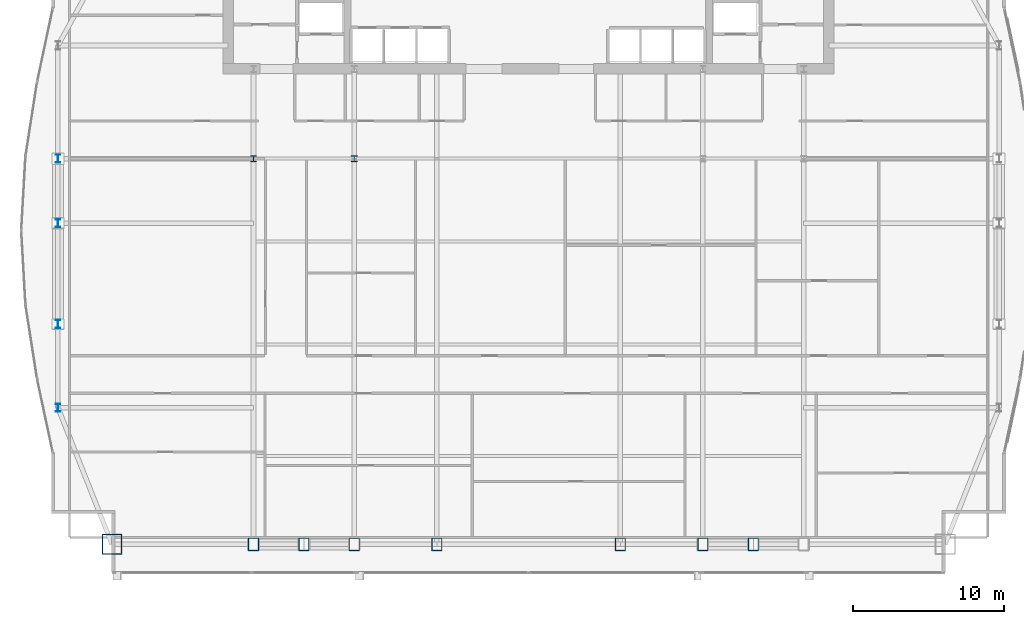
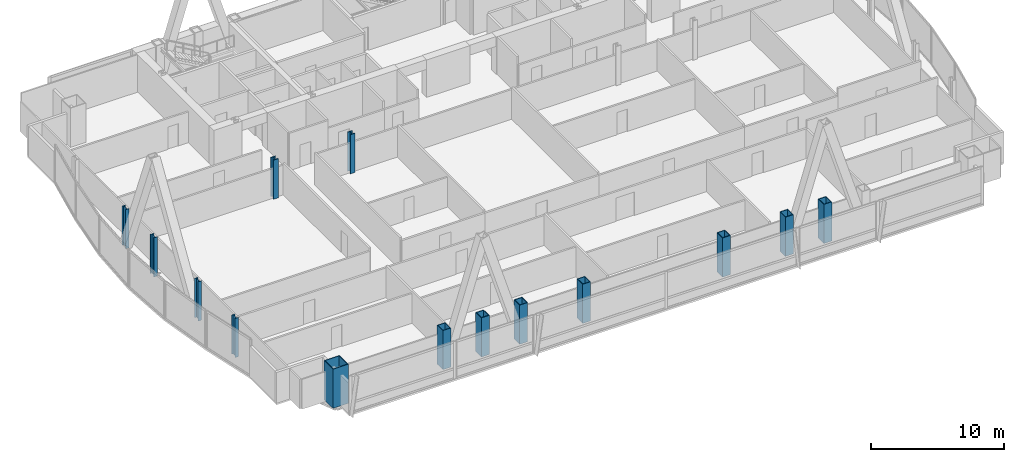
# One storey, part 1 of 30: 14 columns.
"""IFC4 building model written with IfcOpenShell, lengths in metres."""

from ifc_helpers import new_model, si_unit, direction, frame, origin, origin_2d, place, context, subcontext, project, spatial, hollow_rectangle, i_section, extrude, material, material_profile, profile_set, type_object, element, save


model = new_model("IFC4")

# Units and contexts
model_context = context("Model", 3, precision=1e-05, world=origin(), true_north=direction((0.0, 1.0)))
body_context = subcontext(model_context, "Body", "Model", "MODEL_VIEW")
ifc_project = project(units=[si_unit("LENGTHUNIT", "METRE"), si_unit("AREAUNIT", "SQUARE_METRE"), si_unit("VOLUMEUNIT", "CUBIC_METRE"), si_unit("PLANEANGLEUNIT", "RADIAN"), si_unit("MASSUNIT", "GRAM", prefix="KILO")], contexts=[model_context])

# Site, building, storey
site_placement = place(None, origin())
site = spatial("IfcSite", under=ifc_project, at=site_placement, CompositionType="ELEMENT")
building_placement = place(site_placement, origin())
building = spatial("IfcBuilding", under=site, at=building_placement, Name="Khoronbel Lancet Exchange", CompositionType="ELEMENT")
storey_placement = place(building_placement, frame((0.0, 0.0, 157.800048828125)))
storey = spatial("IfcBuildingStorey", under=building, at=storey_placement, Name="L39", CompositionType="ELEMENT", Elevation=157.800048828125)

# Columns
ifc_material_1 = material(Name="Steel S460", Category="steel")
ifc_material_profile_1 = material_profile(ifc_material_1, hollow_rectangle(XDim=0.699951171875, YDim=0.85009765625, WallThickness=0.050048828125, at=origin_2d()), Name="BOX 850x700x50")
ifc_profile_set_1 = profile_set([ifc_material_profile_1], Name="Steel S460")
column_type_1 = type_object("IfcColumnType", Name="COL-EC2", PredefinedType="COLUMN", material=ifc_profile_set_1)
for number, where, z_axis, x_axis, name in (
    (1, (18.22509765625, 10.14990234375, 0.0), (0.0, 0.0, 1.0), (1.0, 0.0, 0.0), "Structural column SC-W1 L39"),
    (2, (21.5625, 10.14990234375, 0.0), (0.0, 0.0, 1.0), (1.0, 0.0, 0.0), "Structural column SC-WM L39"),
    (3, (24.89990234375, 10.14990234375, 0.0), (0.0, 0.0, 1.0), (1.0, 0.0, 0.0), "Structural column SC-W2 L39"),
    (4, (30.375, 10.14990234375, 0.0), (0.0, 0.0, 1.0), (1.0, 0.0, 0.0), "Structural column SC-C1 L39"),
    (5, (42.52490234375, 10.14990234375, 0.0), (0.0, 0.0, 1.0), (1.0, 0.0, 0.0), "Structural column SC-C2 L39"),
    (6, (48.0, 10.14990234375, 0.0), (0.0, 0.0, 1.0), (1.0, 0.0, 0.0), "Structural column SC-E1 L39"),
    (7, (51.33740234375, 10.14990234375, 0.0), (0.0, 0.0, 1.0), (1.0, 0.0, 0.0), "Structural column SC-EM L39"),
):
    element("IfcColumn", number, at=place(storey_placement, frame(where, z_axis=z_axis, x_axis=x_axis)), inside=storey, type_object=column_type_1, Name=name, PredefinedType="COLUMN", context=body_context, shape_type="SweptSolid", body=[
        extrude(hollow_rectangle(XDim=0.699951171875, YDim=0.85009765625, WallThickness=0.050048828125, at=origin_2d()), origin(), (0.0, 0.0, 1.0), 3.599853515625),
    ])
ifc_material_profile_2 = material_profile(ifc_material_1, i_section(OverallWidth=0.416015625, OverallDepth=0.446044921875, WebThickness=0.0390625, FlangeThickness=0.062744140625, at=origin_2d()), Name="HD 400x509")
ifc_profile_set_2 = profile_set([ifc_material_profile_2], Name="Steel S460")
column_type_2 = type_object("IfcColumnType", Name="COL-IC2", PredefinedType="COLUMN", material=ifc_profile_set_2)
for number, where, z_axis, x_axis, name in (
    (8, (18.22509765625, 35.699951171875, 0.0), (0.0, 0.0, 1.0), (1.0, 0.0, 0.0), "Spine gravity column TC1 L39"),
    (9, (24.89990234375, 35.699951171875, 0.0), (0.0, 0.0, 1.0), (1.0, 0.0, 0.0), "Spine gravity column TC2 L39"),
):
    element("IfcColumn", number, at=place(storey_placement, frame(where, z_axis=z_axis, x_axis=x_axis)), inside=storey, type_object=column_type_2, Name=name, PredefinedType="COLUMN", context=body_context, shape_type="SweptSolid", body=[
        extrude(i_section(OverallWidth=0.416015625, OverallDepth=0.446044921875, WebThickness=0.0390625, FlangeThickness=0.062744140625, at=origin_2d()), origin(), (0.0, 0.0, 1.0), 3.599853515625),
    ])
ifc_material_2 = material(Name="Steel S355", Category="steel")
ifc_material_profile_3 = material_profile(ifc_material_2, i_section(OverallWidth=0.300048828125, OverallDepth=0.550048828125, WebThickness=0.014892578125, FlangeThickness=0.029052734375, at=origin_2d()), Name="HEB 550")
ifc_profile_set_3 = profile_set([ifc_material_profile_3], Name="Steel S355")
column_type_3 = type_object("IfcColumnType", Name="COL-LC1", PredefinedType="COLUMN", material=ifc_profile_set_3)
for number, where, z_axis, x_axis, name in (
    (10, (5.27001953125, 19.199951171875, 0.0), (0.0, 0.0, 1.0), (1.0, 0.0, 0.0), "Structural column WC-1 L39"),
    (11, (5.27001953125, 24.75, 0.0), (0.0, 0.0, 1.0), (1.0, 0.0, 0.0), "Structural column WC-2 L39"),
    (12, (5.27001953125, 31.425048828125, 0.0), (0.0, 0.0, 1.0), (1.0, 0.0, 0.0), "Structural column WC-M L39"),
    (13, (5.27001953125, 35.699951171875, 0.0), (0.0, 0.0, 1.0), (1.0, 0.0, 0.0), "Structural column WC-3 L39"),
):
    element("IfcColumn", number, at=place(storey_placement, frame(where, z_axis=z_axis, x_axis=x_axis)), inside=storey, type_object=column_type_3, Name=name, PredefinedType="COLUMN", context=body_context, shape_type="SweptSolid", body=[
        extrude(i_section(OverallWidth=0.300048828125, OverallDepth=0.550048828125, WebThickness=0.014892578125, FlangeThickness=0.029052734375, at=origin_2d()), origin(), (0.0, 0.0, 1.0), 3.599853515625),
    ])
ifc_material_profile_4 = material_profile(ifc_material_1, hollow_rectangle(XDim=1.35009765625, YDim=1.35009765625, WallThickness=0.06494140625, at=origin_2d()), Name="BOX 1350x1350x65")
ifc_profile_set_4 = profile_set([ifc_material_profile_4], Name="Steel S460")
column_type_4 = type_object("IfcColumnType", Name="COL-MC4", PredefinedType="COLUMN", material=ifc_profile_set_4)
column_placement = place(storey_placement, frame((8.85009765625, 10.14990234375, 0.0), z_axis=(0.0, 0.0, 1.0), x_axis=(1.0, 0.0, 0.0)))
element("IfcColumn", 14, at=column_placement, inside=storey, type_object=column_type_4, Name="Structural column MC-SW L39", PredefinedType="COLUMN", context=body_context, shape_type="SweptSolid", body=[
    extrude(hollow_rectangle(XDim=1.35009765625, YDim=1.35009765625, WallThickness=0.06494140625, at=origin_2d()), origin(), (0.0, 0.0, 1.0), 3.599853515625),
])

save(model, "model.ifc")
